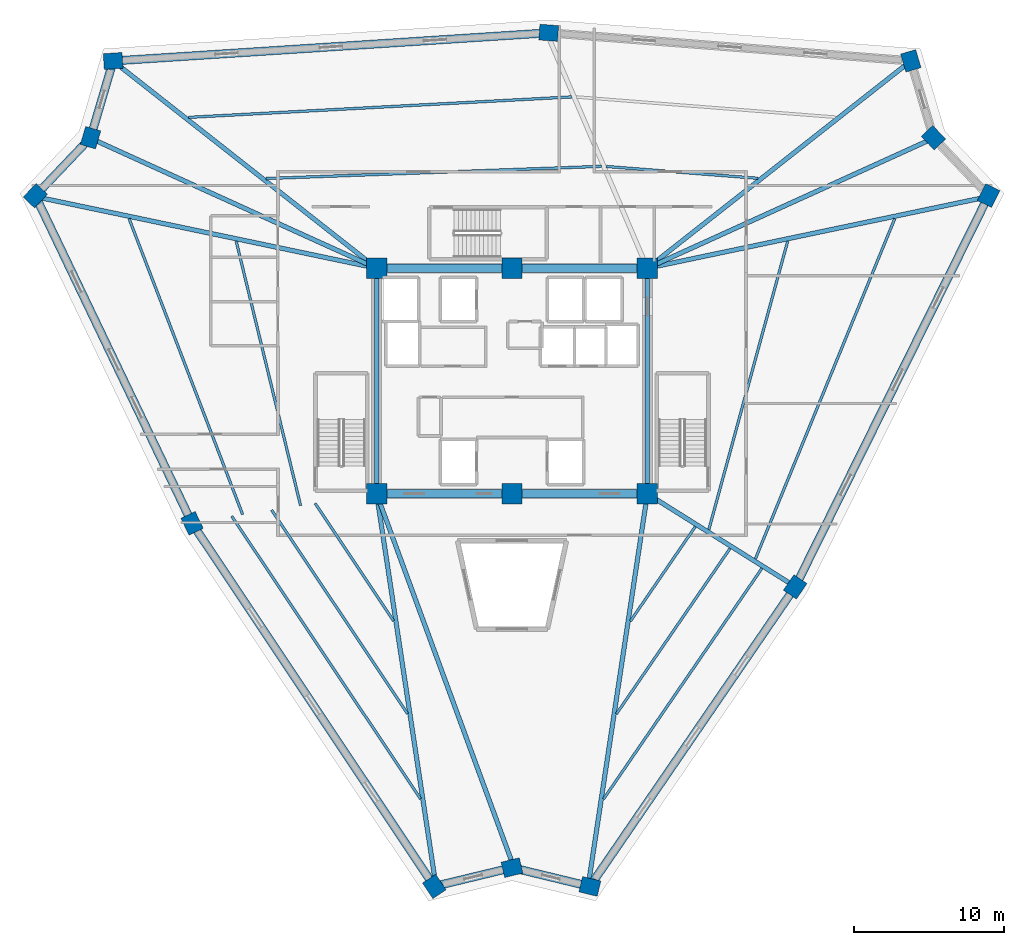
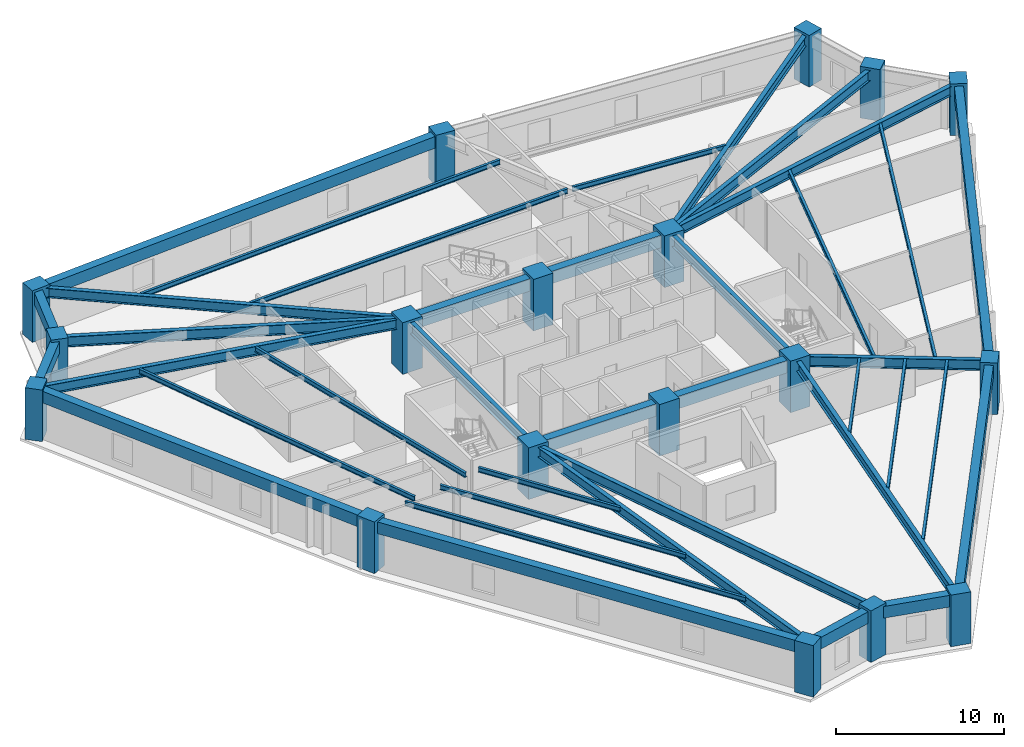
# One storey, part 1 of 8: 38 beams, 18 columns.
"""IFC4 building model written with IfcOpenShell, lengths in metres."""

from ifc_helpers import new_model, si_unit, direction, frame, origin, origin_2d, place, context, subcontext, project, spatial, rectangle, i_section, extrude, source, transform, mapped, material, material_profile, profile_set, type_object, element, save


model = new_model("IFC4")

# Units and contexts
model_context = context("Model", 3, precision=1e-05, world=origin(), true_north=direction((0.0, 1.0)))
body_context = subcontext(model_context, "Body", "Model", "MODEL_VIEW")
ifc_project = project(units=[si_unit("LENGTHUNIT", "METRE"), si_unit("AREAUNIT", "SQUARE_METRE"), si_unit("VOLUMEUNIT", "CUBIC_METRE"), si_unit("PLANEANGLEUNIT", "RADIAN"), si_unit("MASSUNIT", "GRAM", prefix="KILO")], contexts=[model_context])

# Site, building, storey
site_placement = place(None, origin())
site = spatial("IfcSite", under=ifc_project, at=site_placement, CompositionType="ELEMENT")
building_placement = place(site_placement, origin())
building = spatial("IfcBuilding", under=site, at=building_placement, Name="Liaohun Quay Tower", CompositionType="ELEMENT")
storey_placement = place(building_placement, frame((0.0, 0.0, 266.25)))
storey = spatial("IfcBuildingStorey", under=building, at=storey_placement, Name="L69", CompositionType="ELEMENT", Elevation=266.25)

# Columns
ifc_material_1 = material(Name="Concrete C55", Category="concrete")
ifc_material_profile_1 = material_profile(ifc_material_1, rectangle(XDim=1.35009765625, YDim=1.35009765625, at=origin_2d()), Name="RC1350x1350")
ifc_profile_set_1 = profile_set([ifc_material_profile_1], Name="Concrete C55")
column_type_1 = type_object("IfcColumnType", Name="COL-CC-Z3", PredefinedType="COLUMN", material=ifc_profile_set_1)
shared_shape_1 = source(origin(), body_context, "Body", "SweptSolid", [
    extrude(rectangle(XDim=1.35009765625, YDim=1.35009765625, at=origin_2d()), origin(), (0.0, 0.0, 1.0), 3.75),
])
for number, where, z_axis, x_axis, name in (
    (1, (51.0, 46.5, 0.0), (0.0, 0.0, 1.0), (1.0, 0.0, 0.0), "L69 Core Column CC1"),
    (2, (60.0, 46.5, 0.0), (0.0, 0.0, 1.0), (1.0, 0.0, 0.0), "L69 Core Column CC2"),
    (3, (69.0, 46.5, 0.0), (0.0, 0.0, 1.0), (1.0, 0.0, 0.0), "L69 Core Column CC3"),
    (4, (69.0, 61.5, 0.0), (0.0, 0.0, 1.0), (1.0, 0.0, 0.0), "L69 Core Column CC4"),
    (5, (60.0, 61.5, 0.0), (0.0, 0.0, 1.0), (1.0, 0.0, 0.0), "L69 Core Column CC5"),
    (6, (51.0, 61.5, 0.0), (0.0, 0.0, 1.0), (1.0, 0.0, 0.0), "L69 Core Column CC6"),
):
    element("IfcColumn", number, at=place(storey_placement, frame(where, z_axis=z_axis, x_axis=x_axis)), inside=storey, type_object=column_type_1, Name=name, PredefinedType="COLUMN", context=body_context, shape_type="MappedRepresentation", body=[
        mapped(shared_shape_1, transform((0.0, 0.0, 0.0), x_axis=(1.0, 0.0, 0.0), y_axis=(0.0, 1.0, 0.0), z_axis=(0.0, 0.0, 1.0), scale=1.0)),
    ])
ifc_material_profile_2 = material_profile(ifc_material_1, rectangle(XDim=1.25, YDim=1.050048828125, at=origin_2d()), Name="RC1250x1050")
ifc_profile_set_2 = profile_set([ifc_material_profile_2], Name="Concrete C55")
column_type_2 = type_object("IfcColumnType", Name="COL-PIER-Z3", PredefinedType="COLUMN", material=ifc_profile_set_2)
shared_shape_2 = source(origin(), body_context, "Body", "SweptSolid", [
    extrude(rectangle(XDim=1.25, YDim=1.050048828125, at=origin_2d()), origin(), (0.0, 0.0, 1.0), 3.75),
])
for number, where, z_axis, x_axis, name in (
    (7, (54.8310546875, 20.40087890625, 0.0), (0.0, 0.0, 1.0), (-0.554844427448, 0.83195412213, 0.0), "L69 Perimeter Pier PC01"),
    (8, (38.73388671875, 44.5380859375, 0.0), (0.0, 0.0, 1.0), (-0.431613491188, 0.902058642343, 0.0), "L69 Perimeter Pier PC02"),
    (9, (28.31201171875, 66.31689453125, 0.0), (0.0, 0.0, 1.0), (0.68936671806, 0.724412539946, 0.0), "L69 Perimeter Pier PC03"),
    (10, (31.98291015625, 70.176025390625, 0.0), (0.0, 0.0, 1.0), (0.282676303383, 0.959215360337, 0.0), "L69 Perimeter Pier PC04"),
    (11, (33.486083984375, 75.27587890625, 0.0), (0.0, 0.0, 1.0), (0.997915618272, 0.064532308253, 0.0), "L69 Perimeter Pier PC05"),
    (12, (62.43896484375, 77.14794921875, 0.0), (0.0, 0.0, 1.0), (-0.997012445566, 0.077241073187, 0.0), "L69 Perimeter Pier PC06"),
    (13, (86.510986328125, 75.283935546875, 0.0), (0.0, 0.0, 1.0), (-0.282676303383, 0.959215360337, 0.0), "L69 Perimeter Pier PC07"),
    (14, (88.01708984375, 70.176025390625, 0.0), (0.0, 0.0, 1.0), (-0.68936671806, 0.724412539946, 0.0), "L69 Perimeter Pier PC08"),
    (15, (91.68310546875, 66.322998046875, 0.0), (0.0, 0.0, 1.0), (0.443071190824, 0.896486430383, 0.0), "L69 Perimeter Pier PC09"),
    (16, (78.827880859375, 40.31396484375, 0.0), (0.0, 0.0, 1.0), (0.565398954378, 0.824817569156, 0.0), "L69 Perimeter Pier PC10"),
    (17, (65.177001953125, 20.39892578125, 0.0), (0.0, 0.0, 1.0), (-0.972043021443, 0.234802820391, 0.0), "L69 Perimeter Pier PC11"),
    (18, (60.0, 21.64892578125, 0.0), (0.0, 0.0, 1.0), (0.972043021443, 0.234802820391, 0.0), "L69 Perimeter Pier PC12"),
):
    element("IfcColumn", number, at=place(storey_placement, frame(where, z_axis=z_axis, x_axis=x_axis)), inside=storey, type_object=column_type_2, Name=name, PredefinedType="COLUMN", context=body_context, shape_type="MappedRepresentation", body=[
        mapped(shared_shape_2, transform((0.0, 0.0, 0.0), x_axis=(1.0, 0.0, 0.0), y_axis=(0.0, 1.0, 0.0), z_axis=(0.0, 0.0, 1.0), scale=1.0)),
    ])

# Beams
ifc_material_2 = material(Name="Steel Q355D", Category="steel")
ifc_material_profile_3 = material_profile(ifc_material_2, i_section(OverallWidth=0.300048828125, OverallDepth=0.800048828125, WebThickness=0.013916015625, FlangeThickness=0.02587890625, at=origin_2d()), Name="HN800x300x14x26")
ifc_profile_set_3 = profile_set([ifc_material_profile_3], Name="Steel Q355D")
beam_type_1 = type_object("IfcBeamType", Name="BM-RAD-M1", PredefinedType="BEAM", material=ifc_profile_set_3)
shared_shape_3 = source(origin(), body_context, "Body", "SweptSolid", [
    extrude(i_section(OverallWidth=0.300048828125, OverallDepth=0.800048828125, WebThickness=0.013916015625, FlangeThickness=0.02587890625, at=origin_2d()), origin(), (0.0, 0.0, 1.0), 15.0),
])
for number, where, z_axis, x_axis, name in (
    (19, (69.0, 46.5, 3.169921875), (0.0, 1.0, 0.0), (-1.0, 0.0, 0.0), "L69 Core Coupling/Ring Beam CC3-CC4"),
    (20, (51.0, 61.5, 3.169921875), (0.0, -1.0, 0.0), (1.0, 0.0, 0.0), "L69 Core Coupling/Ring Beam CC6-CC1"),
):
    element("IfcBeam", number, at=place(storey_placement, frame(where, z_axis=z_axis, x_axis=x_axis)), inside=storey, type_object=beam_type_1, Name=name, PredefinedType="BEAM", context=body_context, shape_type="MappedRepresentation", body=[
        mapped(shared_shape_3, transform((0.0, 0.0, 0.0), x_axis=(1.0, 0.0, 0.0), y_axis=(0.0, 1.0, 0.0), z_axis=(0.0, 0.0, 1.0), scale=1.0)),
    ])
ifc_material_profile_4 = material_profile(ifc_material_1, rectangle(XDim=0.550048828125, YDim=0.89990234375, at=origin_2d()), Name="RC550x900")
ifc_profile_set_4 = profile_set([ifc_material_profile_4], Name="Concrete C55")
beam_type_2 = type_object("IfcBeamType", Name="BM-CPL-2", PredefinedType="LINTEL", material=ifc_profile_set_4)
shared_shape_4 = source(origin(), body_context, "Body", "SweptSolid", [
    extrude(rectangle(XDim=0.550048828125, YDim=0.89990234375, at=origin_2d()), origin(), (0.0, 0.0, 1.0), 9.0),
])
for number, where, z_axis, x_axis, name in (
    (21, (51.0, 46.5, 3.1201171875), (1.0, 0.0, 0.0), (0.0, 1.0, 0.0), "L69 Core Coupling/Ring Beam CC1-CC2"),
    (22, (60.0, 46.5, 3.1201171875), (1.0, 0.0, 0.0), (0.0, 1.0, 0.0), "L69 Core Coupling/Ring Beam CC2-CC3"),
    (23, (69.0, 61.5, 3.1201171875), (-1.0, 0.0, 0.0), (0.0, -1.0, 0.0), "L69 Core Coupling/Ring Beam CC4-CC5"),
    (24, (60.0, 61.5, 3.1201171875), (-1.0, 0.0, 0.0), (0.0, -1.0, 0.0), "L69 Core Coupling/Ring Beam CC5-CC6"),
):
    element("IfcBeam", number, at=place(storey_placement, frame(where, z_axis=z_axis, x_axis=x_axis)), inside=storey, type_object=beam_type_2, Name=name, PredefinedType="LINTEL", context=body_context, shape_type="MappedRepresentation", body=[
        mapped(shared_shape_4, transform((0.0, 0.0, 0.0), x_axis=(1.0, 0.0, 0.0), y_axis=(0.0, 1.0, 0.0), z_axis=(0.0, 0.0, 1.0), scale=1.0)),
    ])
ifc_material_3 = material(Name="Precast concrete C50", Category="concrete")
ifc_material_profile_5 = material_profile(ifc_material_3, rectangle(XDim=0.550048828125, YDim=0.85009765625, at=origin_2d()), Name="RC550x850")
ifc_profile_set_5 = profile_set([ifc_material_profile_5], Name="Precast concrete C50")
beam_type_3 = type_object("IfcBeamType", Name="BM-SPD-Z3", PredefinedType="SPANDREL", material=ifc_profile_set_5)
shared_shape_5 = source(origin(), body_context, "Body", "SweptSolid", [
    extrude(rectangle(XDim=0.550048828125, YDim=0.85009765625, at=origin_2d()), origin(), (0.0, 0.0, 1.0), 29.012451171875),
])
for number, where, z_axis, x_axis, name in (
    (25, (54.8310546875, 20.40087890625, 3.14501953125), (-0.554836123809, 0.83195965991, 0.0), (-0.83195965991, -0.554836123809, 0.0), "L69 Precast Spandrel Beam PC01-PC02"),
    (26, (91.68310546875, 66.322998046875, 3.14501953125), (-0.443092236936, -0.89647602844, 0.0), (0.89647602844, -0.443092236936, 0.0), "L69 Precast Spandrel Beam PC09-PC10"),
):
    element("IfcBeam", number, at=place(storey_placement, frame(where, z_axis=z_axis, x_axis=x_axis)), inside=storey, type_object=beam_type_3, Name=name, PredefinedType="SPANDREL", context=body_context, shape_type="MappedRepresentation", body=[
        mapped(shared_shape_5, transform((0.0, 0.0, 0.0), x_axis=(1.0, 0.0, 0.0), y_axis=(0.0, 1.0, 0.0), z_axis=(0.0, 0.0, 1.0), scale=1.0)),
    ])
shared_shape_6 = source(origin(), body_context, "Body", "SweptSolid", [
    extrude(rectangle(XDim=0.550048828125, YDim=0.85009765625, at=origin_2d()), origin(), (0.0, 0.0, 1.0), 24.14404296875),
])
beam_1_placement = place(storey_placement, frame((38.73388671875, 44.5380859375, 3.14501953125), z_axis=(-0.431655141553, 0.902038712457, 0.0), x_axis=(-0.902038712457, -0.431655141553, 0.0)))
element("IfcBeam", 27, at=beam_1_placement, inside=storey, type_object=beam_type_3, Name="L69 Precast Spandrel Beam PC02-PC03", PredefinedType="SPANDREL", context=body_context, shape_type="MappedRepresentation", body=[
    mapped(shared_shape_6, transform((0.0, 0.0, 0.0), x_axis=(1.0, 0.0, 0.0), y_axis=(0.0, 1.0, 0.0), z_axis=(0.0, 0.0, 1.0), scale=1.0)),
])
shared_shape_7 = source(origin(), body_context, "Body", "SweptSolid", [
    extrude(rectangle(XDim=0.550048828125, YDim=0.85009765625, at=origin_2d()), origin(), (0.0, 0.0, 1.0), 5.326171875),
])
beam_2_placement = place(storey_placement, frame((28.31201171875, 66.31689453125, 3.14501953125), z_axis=(0.689215526781, 0.724556386794, 0.0), x_axis=(-0.724556386794, 0.689215526781, 0.0)))
element("IfcBeam", 28, at=beam_2_placement, inside=storey, type_object=beam_type_3, Name="L69 Precast Spandrel Beam PC03-PC04", PredefinedType="SPANDREL", context=body_context, shape_type="MappedRepresentation", body=[
    mapped(shared_shape_7, transform((0.0, 0.0, 0.0), x_axis=(1.0, 0.0, 0.0), y_axis=(0.0, 1.0, 0.0), z_axis=(0.0, 0.0, 1.0), scale=1.0)),
])
shared_shape_8 = source(origin(), body_context, "Body", "SweptSolid", [
    extrude(rectangle(XDim=0.550048828125, YDim=0.85009765625, at=origin_2d()), origin(), (0.0, 0.0, 1.0), 5.316650390625),
])
beam_3_placement = place(storey_placement, frame((31.98291015625, 70.176025390625, 3.14501953125), z_axis=(0.282723153755, 0.959201552507, 0.0), x_axis=(-0.959201552507, 0.282723153755, 0.0)))
element("IfcBeam", 29, at=beam_3_placement, inside=storey, type_object=beam_type_3, Name="L69 Precast Spandrel Beam PC04-PC05", PredefinedType="SPANDREL", context=body_context, shape_type="MappedRepresentation", body=[
    mapped(shared_shape_8, transform((0.0, 0.0, 0.0), x_axis=(1.0, 0.0, 0.0), y_axis=(0.0, 1.0, 0.0), z_axis=(0.0, 0.0, 1.0), scale=1.0)),
])
shared_shape_9 = source(origin(), body_context, "Body", "SweptSolid", [
    extrude(rectangle(XDim=0.550048828125, YDim=0.85009765625, at=origin_2d()), origin(), (0.0, 0.0, 1.0), 29.013427734375),
])
beam_4_placement = place(storey_placement, frame((33.486083984375, 75.27587890625, 3.14501953125), z_axis=(0.99791612543, 0.064524465177, 0.0), x_axis=(-0.064524465177, 0.99791612543, 0.0)))
element("IfcBeam", 30, at=beam_4_placement, inside=storey, type_object=beam_type_3, Name="L69 Precast Spandrel Beam PC05-PC06", PredefinedType="SPANDREL", context=body_context, shape_type="MappedRepresentation", body=[
    mapped(shared_shape_9, transform((0.0, 0.0, 0.0), x_axis=(1.0, 0.0, 0.0), y_axis=(0.0, 1.0, 0.0), z_axis=(0.0, 0.0, 1.0), scale=1.0)),
])
shared_shape_10 = source(origin(), body_context, "Body", "SweptSolid", [
    extrude(rectangle(XDim=0.550048828125, YDim=0.85009765625, at=origin_2d()), origin(), (0.0, 0.0, 1.0), 24.14453125),
])
beam_5_placement = place(storey_placement, frame((78.827880859375, 40.31396484375, 3.14501953125), z_axis=(-0.565383325063, -0.824828282578, 0.0), x_axis=(0.824828282578, -0.565383325063, 0.0)))
element("IfcBeam", 31, at=beam_5_placement, inside=storey, type_object=beam_type_3, Name="L69 Precast Spandrel Beam PC10-PC11", PredefinedType="SPANDREL", context=body_context, shape_type="MappedRepresentation", body=[
    mapped(shared_shape_10, transform((0.0, 0.0, 0.0), x_axis=(1.0, 0.0, 0.0), y_axis=(0.0, 1.0, 0.0), z_axis=(0.0, 0.0, 1.0), scale=1.0)),
])
shared_shape_11 = source(origin(), body_context, "Body", "SweptSolid", [
    extrude(rectangle(XDim=0.550048828125, YDim=0.85009765625, at=origin_2d()), origin(), (0.0, 0.0, 1.0), 5.32568359375),
])
beam_6_placement = place(storey_placement, frame((65.177001953125, 20.39892578125, 3.14501953125), z_axis=(-0.972065981499, 0.234707749365, 0.0), x_axis=(-0.234707749365, -0.972065981499, 0.0)))
element("IfcBeam", 32, at=beam_6_placement, inside=storey, type_object=beam_type_3, Name="L69 Precast Spandrel Beam PC11-PC12", PredefinedType="SPANDREL", context=body_context, shape_type="MappedRepresentation", body=[
    mapped(shared_shape_11, transform((0.0, 0.0, 0.0), x_axis=(1.0, 0.0, 0.0), y_axis=(0.0, 1.0, 0.0), z_axis=(0.0, 0.0, 1.0), scale=1.0)),
])
shared_shape_12 = source(origin(), body_context, "Body", "SweptSolid", [
    extrude(rectangle(XDim=0.550048828125, YDim=0.85009765625, at=origin_2d()), origin(), (0.0, 0.0, 1.0), 5.3173828125),
])
beam_7_placement = place(storey_placement, frame((60.0, 21.64892578125, 3.14501953125), z_axis=(-0.972066317412, -0.234706358143, 0.0), x_axis=(0.234706358143, -0.972066317412, 0.0)))
element("IfcBeam", 33, at=beam_7_placement, inside=storey, type_object=beam_type_3, Name="L69 Precast Spandrel Beam PC12-PC01", PredefinedType="SPANDREL", context=body_context, shape_type="MappedRepresentation", body=[
    mapped(shared_shape_12, transform((0.0, 0.0, 0.0), x_axis=(1.0, 0.0, 0.0), y_axis=(0.0, 1.0, 0.0), z_axis=(0.0, 0.0, 1.0), scale=1.0)),
])
ifc_material_profile_6 = material_profile(ifc_material_2, i_section(OverallWidth=0.300048828125, OverallDepth=0.699951171875, WebThickness=0.012939453125, FlangeThickness=0.02392578125, at=origin_2d()), Name="HN700x300x13x24")
ifc_profile_set_6 = profile_set([ifc_material_profile_6], Name="Steel Q355D")
beam_type_4 = type_object("IfcBeamType", Name="BM-RAD-U1", PredefinedType="BEAM", material=ifc_profile_set_6)
shared_shape_13 = source(origin(), body_context, "Body", "SweptSolid", [
    extrude(i_section(OverallWidth=0.300048828125, OverallDepth=0.699951171875, WebThickness=0.012939453125, FlangeThickness=0.02392578125, at=origin_2d()), origin(), (0.0, 0.0, 1.0), 26.009033203125),
])
beam_8_placement = place(storey_placement, frame((51.0, 46.5, 3.219970703125), z_axis=(0.149644377799, -0.988739885002, 0.0), x_axis=(0.988739885002, 0.149644377799, 0.0)))
element("IfcBeam", 34, at=beam_8_placement, inside=storey, type_object=beam_type_4, Name="L69 Radial Primary Girder CC1-PC01", PredefinedType="BEAM", context=body_context, shape_type="MappedRepresentation", body=[
    mapped(shared_shape_13, transform((0.0, 0.0, 0.0), x_axis=(1.0, 0.0, 0.0), y_axis=(0.0, 1.0, 0.0), z_axis=(0.0, 0.0, 1.0), scale=1.0)),
])
shared_shape_14 = source(origin(), body_context, "Body", "SweptSolid", [
    extrude(i_section(OverallWidth=0.300048828125, OverallDepth=0.699951171875, WebThickness=0.012939453125, FlangeThickness=0.02392578125, at=origin_2d()), origin(), (0.0, 0.0, 1.0), 22.81103515625),
])
beam_9_placement = place(storey_placement, frame((51.0, 61.5, 3.219970703125), z_axis=(-0.978737089066, 0.205118771659, 0.0), x_axis=(-0.205118771659, -0.978737089066, 0.0)))
element("IfcBeam", 35, at=beam_9_placement, inside=storey, type_object=beam_type_4, Name="L69 Radial Primary Girder CC6-PC03", PredefinedType="BEAM", context=body_context, shape_type="MappedRepresentation", body=[
    mapped(shared_shape_14, transform((0.0, 0.0, 0.0), x_axis=(1.0, 0.0, 0.0), y_axis=(0.0, 1.0, 0.0), z_axis=(0.0, 0.0, 1.0), scale=1.0)),
])
ifc_material_profile_7 = material_profile(ifc_material_2, i_section(OverallWidth=0.300048828125, OverallDepth=0.75, WebThickness=0.013916015625, FlangeThickness=0.02587890625, at=origin_2d()), Name="HN750x300x14x26")
ifc_profile_set_7 = profile_set([ifc_material_profile_7], Name="Steel Q355D")
beam_type_5 = type_object("IfcBeamType", Name="BM-RAD-M2", PredefinedType="BEAM", material=ifc_profile_set_7)
shared_shape_15 = source(origin(), body_context, "Body", "SweptSolid", [
    extrude(i_section(OverallWidth=0.300048828125, OverallDepth=0.75, WebThickness=0.013916015625, FlangeThickness=0.02587890625, at=origin_2d()), origin(), (0.0, 0.0, 1.0), 20.5361328125),
])
for number, where, z_axis, x_axis, name in (
    (36, (51.0, 61.5, 3.195068359375), (-0.910497529977, 0.413514507491, 0.0), (-0.413514507491, -0.910497529977, 0.0), "L69 Radial Primary Girder CC6-PC04"),
    (37, (69.0, 61.5, 3.195068359375), (0.910497529977, 0.413514507491, 0.0), (-0.413514507491, 0.910497529977, 0.0), "L69 Radial Primary Girder CC4-PC08"),
):
    element("IfcBeam", number, at=place(storey_placement, frame(where, z_axis=z_axis, x_axis=x_axis)), inside=storey, type_object=beam_type_5, Name=name, PredefinedType="BEAM", context=body_context, shape_type="MappedRepresentation", body=[
        mapped(shared_shape_15, transform((0.0, 0.0, 0.0), x_axis=(1.0, 0.0, 0.0), y_axis=(0.0, 1.0, 0.0), z_axis=(0.0, 0.0, 1.0), scale=1.0)),
    ])
shared_shape_16 = source(origin(), body_context, "Body", "SweptSolid", [
    extrude(i_section(OverallWidth=0.300048828125, OverallDepth=0.699951171875, WebThickness=0.012939453125, FlangeThickness=0.02392578125, at=origin_2d()), origin(), (0.0, 0.0, 1.0), 21.894287109375),
])
beam_10_placement = place(storey_placement, frame((51.0, 61.5, 3.219970703125), z_axis=(-0.786133347588, 0.618056922791, 0.0), x_axis=(-0.618056922791, -0.786133347588, 0.0)))
element("IfcBeam", 38, at=beam_10_placement, inside=storey, type_object=beam_type_4, Name="L69 Radial Primary Girder CC6-PC05", PredefinedType="BEAM", context=body_context, shape_type="MappedRepresentation", body=[
    mapped(shared_shape_16, transform((0.0, 0.0, 0.0), x_axis=(1.0, 0.0, 0.0), y_axis=(0.0, 1.0, 0.0), z_axis=(0.0, 0.0, 1.0), scale=1.0)),
])
shared_shape_17 = source(origin(), body_context, "Body", "SweptSolid", [
    extrude(i_section(OverallWidth=0.300048828125, OverallDepth=0.699951171875, WebThickness=0.012939453125, FlangeThickness=0.02392578125, at=origin_2d()), origin(), (0.0, 0.0, 1.0), 21.89794921875),
])
beam_11_placement = place(storey_placement, frame((69.0, 61.5, 3.219970703125), z_axis=(0.785920467008, 0.618327598881, 0.0), x_axis=(-0.618327598881, 0.785920467008, 0.0)))
element("IfcBeam", 39, at=beam_11_placement, inside=storey, type_object=beam_type_4, Name="L69 Radial Primary Girder CC4-PC07", PredefinedType="BEAM", context=body_context, shape_type="MappedRepresentation", body=[
    mapped(shared_shape_17, transform((0.0, 0.0, 0.0), x_axis=(1.0, 0.0, 0.0), y_axis=(0.0, 1.0, 0.0), z_axis=(0.0, 0.0, 1.0), scale=1.0)),
])
shared_shape_18 = source(origin(), body_context, "Body", "SweptSolid", [
    extrude(i_section(OverallWidth=0.300048828125, OverallDepth=0.699951171875, WebThickness=0.012939453125, FlangeThickness=0.02392578125, at=origin_2d()), origin(), (0.0, 0.0, 1.0), 22.806396484375),
])
beam_12_placement = place(storey_placement, frame((69.0, 61.5, 3.219970703125), z_axis=(0.978672504065, 0.205426701738, 0.0), x_axis=(-0.205426701738, 0.978672504065, 0.0)))
element("IfcBeam", 40, at=beam_12_placement, inside=storey, type_object=beam_type_4, Name="L69 Radial Primary Girder CC4-PC09", PredefinedType="BEAM", context=body_context, shape_type="MappedRepresentation", body=[
    mapped(shared_shape_18, transform((0.0, 0.0, 0.0), x_axis=(1.0, 0.0, 0.0), y_axis=(0.0, 1.0, 0.0), z_axis=(0.0, 0.0, 1.0), scale=1.0)),
])
shared_shape_19 = source(origin(), body_context, "Body", "SweptSolid", [
    extrude(i_section(OverallWidth=0.300048828125, OverallDepth=0.75, WebThickness=0.013916015625, FlangeThickness=0.02587890625, at=origin_2d()), origin(), (0.0, 0.0, 1.0), 11.362060546875),
])
beam_13_placement = place(storey_placement, frame((69.0, 46.5, 3.195068359375), z_axis=(0.847108655866, -0.531419725976, 0.0), x_axis=(0.531419725976, 0.847108655866, 0.0)))
element("IfcBeam", 41, at=beam_13_placement, inside=storey, type_object=beam_type_5, Name="L69 Radial Primary Girder CC3-PC10", PredefinedType="BEAM", context=body_context, shape_type="MappedRepresentation", body=[
    mapped(shared_shape_19, transform((0.0, 0.0, 0.0), x_axis=(1.0, 0.0, 0.0), y_axis=(0.0, 1.0, 0.0), z_axis=(0.0, 0.0, 1.0), scale=1.0)),
])
shared_shape_20 = source(origin(), body_context, "Body", "SweptSolid", [
    extrude(i_section(OverallWidth=0.300048828125, OverallDepth=0.699951171875, WebThickness=0.012939453125, FlangeThickness=0.02392578125, at=origin_2d()), origin(), (0.0, 0.0, 1.0), 26.009765625),
])
beam_14_placement = place(storey_placement, frame((69.0, 46.5, 3.219970703125), z_axis=(-0.149330440374, -0.988787348006, 0.0), x_axis=(0.988787348006, -0.149330440374, 0.0)))
element("IfcBeam", 42, at=beam_14_placement, inside=storey, type_object=beam_type_4, Name="L69 Radial Primary Girder CC3-PC11", PredefinedType="BEAM", context=body_context, shape_type="MappedRepresentation", body=[
    mapped(shared_shape_20, transform((0.0, 0.0, 0.0), x_axis=(1.0, 0.0, 0.0), y_axis=(0.0, 1.0, 0.0), z_axis=(0.0, 0.0, 1.0), scale=1.0)),
])
shared_shape_21 = source(origin(), body_context, "Body", "SweptSolid", [
    extrude(i_section(OverallWidth=0.300048828125, OverallDepth=0.75, WebThickness=0.013916015625, FlangeThickness=0.02587890625, at=origin_2d()), origin(), (0.0, 0.0, 1.0), 26.084716796875),
])
beam_15_placement = place(storey_placement, frame((51.0, 46.5, 3.195068359375), z_axis=(0.345029511511, -0.938591836842, 0.0), x_axis=(0.938591836842, 0.345029511511, 0.0)))
element("IfcBeam", 43, at=beam_15_placement, inside=storey, type_object=beam_type_5, Name="L69 Radial Primary Girder CC1-PC12", PredefinedType="BEAM", context=body_context, shape_type="MappedRepresentation", body=[
    mapped(shared_shape_21, transform((0.0, 0.0, 0.0), x_axis=(1.0, 0.0, 0.0), y_axis=(0.0, 1.0, 0.0), z_axis=(0.0, 0.0, 1.0), scale=1.0)),
])
ifc_material_profile_8 = material_profile(ifc_material_2, i_section(OverallWidth=0.175048828125, OverallDepth=0.35009765625, WebThickness=0.007080078125, FlangeThickness=0.010986328125, at=origin_2d()), Name="HN350x175x7x11")
ifc_profile_set_8 = profile_set([ifc_material_profile_8], Name="Steel Q355D")
beam_type_6 = type_object("IfcBeamType", Name="BM-SEC-J3", PredefinedType="JOIST", material=ifc_profile_set_8)
shared_shape_22 = source(origin(), body_context, "Body", "SweptSolid", [
    extrude(i_section(OverallWidth=0.175048828125, OverallDepth=0.35009765625, WebThickness=0.007080078125, FlangeThickness=0.010986328125, at=origin_2d()), origin(), (0.0, 0.0, 1.0), 9.39892578125),
])
beam_16_placement = place(storey_placement, frame((52.126953125, 38.050048828125, 3.39501953125), z_axis=(-0.555269520232, 0.831670463526, 0.0), x_axis=(-0.831670463526, -0.555269520232, 0.0)))
element("IfcBeam", 44, at=beam_16_placement, inside=storey, type_object=beam_type_6, Name="L69 Wing Secondary Floor Joist SJ-01", PredefinedType="JOIST", context=body_context, shape_type="MappedRepresentation", body=[
    mapped(shared_shape_22, transform((0.0, 0.0, 0.0), x_axis=(1.0, 0.0, 0.0), y_axis=(0.0, 1.0, 0.0), z_axis=(0.0, 0.0, 1.0), scale=1.0)),
])
shared_shape_23 = source(origin(), body_context, "Body", "SweptSolid", [
    extrude(i_section(OverallWidth=0.175048828125, OverallDepth=0.35009765625, WebThickness=0.007080078125, FlangeThickness=0.010986328125, at=origin_2d()), origin(), (0.0, 0.0, 1.0), 16.283203125),
])
beam_17_placement = place(storey_placement, frame((53.06103515625, 31.87890625, 3.39501953125), z_axis=(-0.555295176571, 0.831653333353, 0.0), x_axis=(-0.831653333353, -0.555295176571, 0.0)))
element("IfcBeam", 45, at=beam_17_placement, inside=storey, type_object=beam_type_6, Name="L69 Wing Secondary Floor Joist SJ-02", PredefinedType="JOIST", context=body_context, shape_type="MappedRepresentation", body=[
    mapped(shared_shape_23, transform((0.0, 0.0, 0.0), x_axis=(1.0, 0.0, 0.0), y_axis=(0.0, 1.0, 0.0), z_axis=(0.0, 0.0, 1.0), scale=1.0)),
])
shared_shape_24 = source(origin(), body_context, "Body", "SweptSolid", [
    extrude(i_section(OverallWidth=0.175048828125, OverallDepth=0.35009765625, WebThickness=0.007080078125, FlangeThickness=0.010986328125, at=origin_2d()), origin(), (0.0, 0.0, 1.0), 22.593505859375),
])
beam_18_placement = place(storey_placement, frame((53.9169921875, 26.220947265625, 3.39501953125), z_axis=(-0.555288558085, 0.83165775248, 0.0), x_axis=(-0.83165775248, -0.555288558085, 0.0)))
element("IfcBeam", 46, at=beam_18_placement, inside=storey, type_object=beam_type_6, Name="L69 Wing Secondary Floor Joist SJ-03", PredefinedType="JOIST", context=body_context, shape_type="MappedRepresentation", body=[
    mapped(shared_shape_24, transform((0.0, 0.0, 0.0), x_axis=(1.0, 0.0, 0.0), y_axis=(0.0, 1.0, 0.0), z_axis=(0.0, 0.0, 1.0), scale=1.0)),
])
shared_shape_25 = source(origin(), body_context, "Body", "SweptSolid", [
    extrude(i_section(OverallWidth=0.175048828125, OverallDepth=0.35009765625, WebThickness=0.007080078125, FlangeThickness=0.010986328125, at=origin_2d()), origin(), (0.0, 0.0, 1.0), 18.099853515625),
])
beam_19_placement = place(storey_placement, frame((45.945068359375, 45.718017578125, 3.39501953125), z_axis=(-0.236627952665, 0.971600335538, 0.0), x_axis=(-0.971600335538, -0.236627952665, 0.0)))
element("IfcBeam", 47, at=beam_19_placement, inside=storey, type_object=beam_type_6, Name="L69 Wing Secondary Floor Joist SJ-04", PredefinedType="JOIST", context=body_context, shape_type="MappedRepresentation", body=[
    mapped(shared_shape_25, transform((0.0, 0.0, 0.0), x_axis=(1.0, 0.0, 0.0), y_axis=(0.0, 1.0, 0.0), z_axis=(0.0, 0.0, 1.0), scale=1.0)),
])
shared_shape_26 = source(origin(), body_context, "Body", "SweptSolid", [
    extrude(i_section(OverallWidth=0.175048828125, OverallDepth=0.35009765625, WebThickness=0.007080078125, FlangeThickness=0.010986328125, at=origin_2d()), origin(), (0.0, 0.0, 1.0), 21.07177734375),
])
beam_20_placement = place(storey_placement, frame((42.093017578125, 45.123046875, 3.39501953125), z_axis=(-0.358299645537, 0.933606643083, 0.0), x_axis=(-0.933606643083, -0.358299645537, 0.0)))
element("IfcBeam", 48, at=beam_20_placement, inside=storey, type_object=beam_type_6, Name="L69 Wing Secondary Floor Joist SJ-05", PredefinedType="JOIST", context=body_context, shape_type="MappedRepresentation", body=[
    mapped(shared_shape_26, transform((0.0, 0.0, 0.0), x_axis=(1.0, 0.0, 0.0), y_axis=(0.0, 1.0, 0.0), z_axis=(0.0, 0.0, 1.0), scale=1.0)),
])
shared_shape_27 = source(origin(), body_context, "Body", "SweptSolid", [
    extrude(i_section(OverallWidth=0.175048828125, OverallDepth=0.35009765625, WebThickness=0.007080078125, FlangeThickness=0.010986328125, at=origin_2d()), origin(), (0.0, 0.0, 1.0), 22.296630859375),
])
beam_21_placement = place(storey_placement, frame((43.658935546875, 67.4619140625, 3.39501953125), z_axis=(0.999342992579, 0.036243388141, 0.0), x_axis=(-0.036243388141, 0.999342992579, 0.0)))
element("IfcBeam", 49, at=beam_21_placement, inside=storey, type_object=beam_type_6, Name="L69 Wing Secondary Floor Joist SJ-06", PredefinedType="JOIST", context=body_context, shape_type="MappedRepresentation", body=[
    mapped(shared_shape_27, transform((0.0, 0.0, 0.0), x_axis=(1.0, 0.0, 0.0), y_axis=(0.0, 1.0, 0.0), z_axis=(0.0, 0.0, 1.0), scale=1.0)),
])
shared_shape_28 = source(origin(), body_context, "Body", "SweptSolid", [
    extrude(i_section(OverallWidth=0.175048828125, OverallDepth=0.35009765625, WebThickness=0.007080078125, FlangeThickness=0.010986328125, at=origin_2d()), origin(), (0.0, 0.0, 1.0), 25.511474609375),
])
beam_22_placement = place(storey_placement, frame((38.489990234375, 71.52587890625, 3.39501953125), z_axis=(0.998575771856, 0.053351924636, 0.0), x_axis=(-0.053351924636, 0.998575771856, 0.0)))
element("IfcBeam", 50, at=beam_22_placement, inside=storey, type_object=beam_type_6, Name="L69 Wing Secondary Floor Joist SJ-07", PredefinedType="JOIST", context=body_context, shape_type="MappedRepresentation", body=[
    mapped(shared_shape_28, transform((0.0, 0.0, 0.0), x_axis=(1.0, 0.0, 0.0), y_axis=(0.0, 1.0, 0.0), z_axis=(0.0, 0.0, 1.0), scale=1.0)),
])
shared_shape_29 = source(origin(), body_context, "Body", "SweptSolid", [
    extrude(i_section(OverallWidth=0.175048828125, OverallDepth=0.35009765625, WebThickness=0.007080078125, FlangeThickness=0.010986328125, at=origin_2d()), origin(), (0.0, 0.0, 1.0), 10.11279296875),
])
beam_23_placement = place(storey_placement, frame((66.27001953125, 68.261962890625, 3.39501953125), z_axis=(0.996968230919, -0.077809681525, 0.0), x_axis=(0.077809681525, 0.996968230919, 0.0)))
element("IfcBeam", 51, at=beam_23_placement, inside=storey, type_object=beam_type_6, Name="L69 Wing Secondary Floor Joist SJ-08", PredefinedType="JOIST", context=body_context, shape_type="MappedRepresentation", body=[
    mapped(shared_shape_29, transform((0.0, 0.0, 0.0), x_axis=(1.0, 0.0, 0.0), y_axis=(0.0, 1.0, 0.0), z_axis=(0.0, 0.0, 1.0), scale=1.0)),
])
shared_shape_30 = source(origin(), body_context, "Body", "SweptSolid", [
    extrude(i_section(OverallWidth=0.175048828125, OverallDepth=0.35009765625, WebThickness=0.007080078125, FlangeThickness=0.010986328125, at=origin_2d()), origin(), (0.0, 0.0, 1.0), 19.89404296875),
])
beam_24_placement = place(storey_placement, frame((78.330078125, 63.304931640625, 3.39501953125), z_axis=(-0.263700938904, -0.964604486212, 0.0), x_axis=(0.964604486212, -0.263700938904, 0.0)))
element("IfcBeam", 52, at=beam_24_placement, inside=storey, type_object=beam_type_6, Name="L69 Wing Secondary Floor Joist SJ-10", PredefinedType="JOIST", context=body_context, shape_type="MappedRepresentation", body=[
    mapped(shared_shape_30, transform((0.0, 0.0, 0.0), x_axis=(1.0, 0.0, 0.0), y_axis=(0.0, 1.0, 0.0), z_axis=(0.0, 0.0, 1.0), scale=1.0)),
])
shared_shape_31 = source(origin(), body_context, "Body", "SweptSolid", [
    extrude(i_section(OverallWidth=0.175048828125, OverallDepth=0.35009765625, WebThickness=0.007080078125, FlangeThickness=0.010986328125, at=origin_2d()), origin(), (0.0, 0.0, 1.0), 24.45068359375),
])
beam_25_placement = place(storey_placement, frame((85.447998046875, 64.799072265625, 3.39501953125), z_axis=(-0.379052709301, -0.92537508264, 0.0), x_axis=(0.92537508264, -0.379052709301, 0.0)))
element("IfcBeam", 53, at=beam_25_placement, inside=storey, type_object=beam_type_6, Name="L69 Wing Secondary Floor Joist SJ-11", PredefinedType="JOIST", context=body_context, shape_type="MappedRepresentation", body=[
    mapped(shared_shape_31, transform((0.0, 0.0, 0.0), x_axis=(1.0, 0.0, 0.0), y_axis=(0.0, 1.0, 0.0), z_axis=(0.0, 0.0, 1.0), scale=1.0)),
])
shared_shape_32 = source(origin(), body_context, "Body", "SweptSolid", [
    extrude(i_section(OverallWidth=0.175048828125, OverallDepth=0.35009765625, WebThickness=0.007080078125, FlangeThickness=0.010986328125, at=origin_2d()), origin(), (0.0, 0.0, 1.0), 7.622314453125),
])
beam_26_placement = place(storey_placement, frame((72.18798828125, 44.322998046875, 3.39501953125), z_axis=(-0.565972711745, -0.824423974397, 0.0), x_axis=(0.824423974397, -0.565972711745, 0.0)))
element("IfcBeam", 54, at=beam_26_placement, inside=storey, type_object=beam_type_6, Name="L69 Wing Secondary Floor Joist SJ-12", PredefinedType="JOIST", context=body_context, shape_type="MappedRepresentation", body=[
    mapped(shared_shape_32, transform((0.0, 0.0, 0.0), x_axis=(1.0, 0.0, 0.0), y_axis=(0.0, 1.0, 0.0), z_axis=(0.0, 0.0, 1.0), scale=1.0)),
])
shared_shape_33 = source(origin(), body_context, "Body", "SweptSolid", [
    extrude(i_section(OverallWidth=0.175048828125, OverallDepth=0.35009765625, WebThickness=0.007080078125, FlangeThickness=0.010986328125, at=origin_2d()), origin(), (0.0, 0.0, 1.0), 13.35107421875),
])
beam_27_placement = place(storey_placement, frame((74.498046875, 42.8740234375, 3.39501953125), z_axis=(-0.565958273742, -0.824433885999, 0.0), x_axis=(0.824433885999, -0.565958273742, 0.0)))
element("IfcBeam", 55, at=beam_27_placement, inside=storey, type_object=beam_type_6, Name="L69 Wing Secondary Floor Joist SJ-13", PredefinedType="JOIST", context=body_context, shape_type="MappedRepresentation", body=[
    mapped(shared_shape_33, transform((0.0, 0.0, 0.0), x_axis=(1.0, 0.0, 0.0), y_axis=(0.0, 1.0, 0.0), z_axis=(0.0, 0.0, 1.0), scale=1.0)),
])
shared_shape_34 = source(origin(), body_context, "Body", "SweptSolid", [
    extrude(i_section(OverallWidth=0.175048828125, OverallDepth=0.35009765625, WebThickness=0.007080078125, FlangeThickness=0.010986328125, at=origin_2d()), origin(), (0.0, 0.0, 1.0), 18.602783203125),
])
beam_28_placement = place(storey_placement, frame((76.614990234375, 41.5458984375, 3.39501953125), z_axis=(-0.565942733261, -0.82444455403, 0.0), x_axis=(0.82444455403, -0.565942733261, 0.0)))
element("IfcBeam", 56, at=beam_28_placement, inside=storey, type_object=beam_type_6, Name="L69 Wing Secondary Floor Joist SJ-14", PredefinedType="JOIST", context=body_context, shape_type="MappedRepresentation", body=[
    mapped(shared_shape_34, transform((0.0, 0.0, 0.0), x_axis=(1.0, 0.0, 0.0), y_axis=(0.0, 1.0, 0.0), z_axis=(0.0, 0.0, 1.0), scale=1.0)),
])

save(model, "model.ifc")
